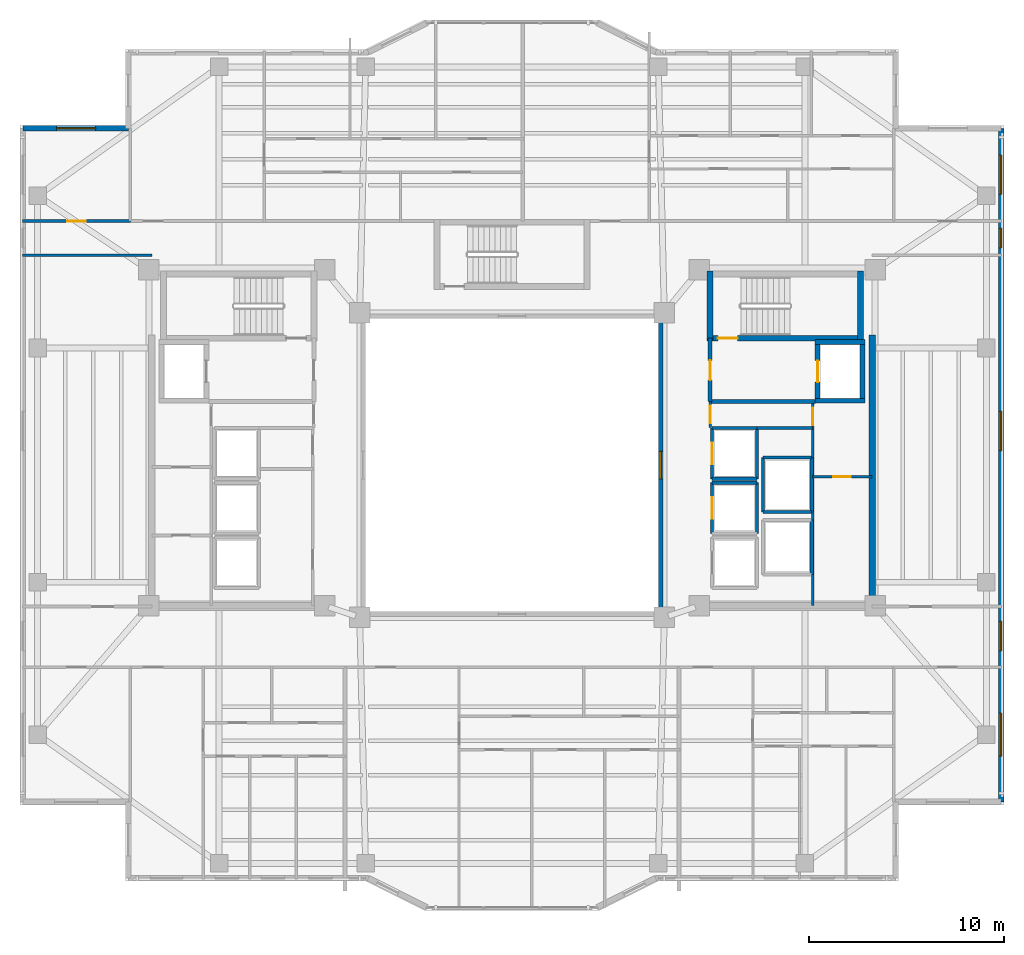
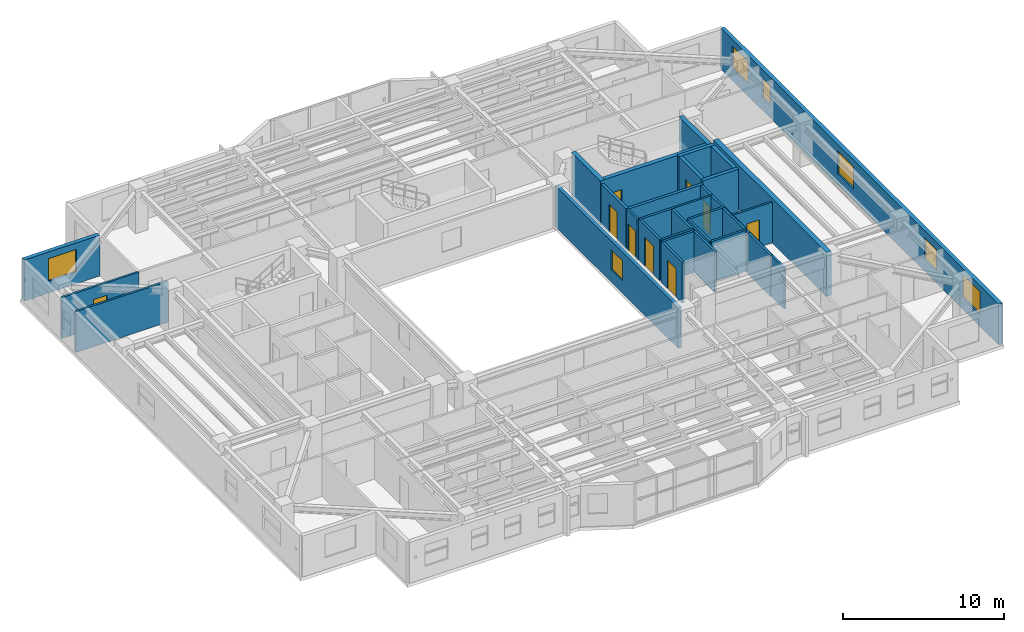
# One storey, part 9 of 16: 31 walls, 9 doors, 7 windows, 16 openings.
"""IFC4 building model written with IfcOpenShell, lengths in metres."""

from ifc_helpers import new_model, si_unit, direction, frame, frame_2d, origin, place, context, subcontext, project, spatial, rectangle, extrude, material, layer, layer_set, type_object, element, fill, save


model = new_model("IFC4")

# Units and contexts
model_context = context("Model", 3, precision=1e-05, world=origin(), true_north=direction((0.0, 1.0)))
body_context = subcontext(model_context, "Body", "Model", "MODEL_VIEW")
ifc_project = project(units=[si_unit("LENGTHUNIT", "METRE"), si_unit("AREAUNIT", "SQUARE_METRE"), si_unit("VOLUMEUNIT", "CUBIC_METRE"), si_unit("PLANEANGLEUNIT", "RADIAN"), si_unit("MASSUNIT", "GRAM", prefix="KILO")], contexts=[model_context])

# Site, building, storey
site_placement = place(None, origin())
site = spatial("IfcSite", under=ifc_project, at=site_placement, CompositionType="ELEMENT")
building_placement = place(site_placement, origin())
building = spatial("IfcBuilding", under=site, at=building_placement, Name="Tarnavaz Court Tower", CompositionType="ELEMENT")
storey_placement = place(building_placement, frame((0.0, 0.0, 149.35009765625)))
storey = spatial("IfcBuildingStorey", under=building, at=storey_placement, Name="L40", CompositionType="ELEMENT", Elevation=149.35009765625)

# Wall, opening, door
ifc_material_1 = material(Name="Concrete C50/60", Category="concrete")
ifc_layer_1 = layer(ifc_material_1, 0.25)
ifc_layer_set_1 = layer_set([ifc_layer_1], Name="Concrete C50/60")
wall_type_1 = type_object("IfcWallType", Name="WL-CORE-250-C50", PredefinedType="SHEAR", material=ifc_layer_set_1)
wall_1_placement = place(storey_placement, frame((15.64990234375, 3.175048828125, 0.0), z_axis=(0.0, 0.0, 1.0), x_axis=(0.0, 1.0, 0.0)))
wall_1 = element("IfcWall", 1, at=wall_1_placement, inside=storey, type_object=wall_type_1, Name="L40 Lift FL-E1 Shaft Wall 033", PredefinedType="SHEAR", context=body_context, shape_type="SweptSolid", body=[
    extrude(rectangle(XDim=3.25, YDim=0.25, at=frame_2d((1.625, 0.0))), origin(), (0.0, 0.0, 1.0), 3.349853515625),
])
opening_1_placement = place(wall_1_placement, frame((1.074951171875, 0.0, 0.0)))
opening_1 = element("IfcOpeningElement", 2, at=opening_1_placement, cuts=wall_1, Name="Opening LD1", PredefinedType="OPENING", context=body_context, shape_type="SweptSolid", body=[
    extrude(rectangle(XDim=1.10009765625, YDim=2.14990234375, at=frame_2d((0.550048828125, 1.074951171875))), frame((0.0, 0.135009765625, 0.0), z_axis=(0.0, -1.0, 0.0), x_axis=(1.0, 0.0, 0.0)), (0.0, 0.0, 1.0), 0.27001953125),
])
ifc_material_2 = material(Name="Stainless Steel", Category="steel")
door_type_1 = type_object("IfcDoorType", Name="DR-LD-1100", OperationType="NOTDEFINED", PredefinedType="DOOR", material=ifc_material_2)
door_1_placement = place(opening_1_placement, origin())
door_1 = element("IfcDoor", 3, at=door_1_placement, inside=storey, type_object=door_type_1, Name="L40 Lift Landing Door LD-FL-E1", OperationType="SLIDING_TO_LEFT", OverallHeight=2.14990234375, OverallWidth=1.10009765625, PredefinedType="DOOR", context=body_context, shape_type="SweptSolid", body=[
    extrude(rectangle(XDim=1.10009765625, YDim=2.14990234375, at=frame_2d((0.550048828125, 1.074951171875))), frame((0.0, 0.02490234375, 0.0), z_axis=(0.0, -1.0, 0.0), x_axis=(1.0, 0.0, 0.0)), (0.0, 0.0, 1.0), 0.050048828125),
])
fill(opening_1, door_1)

# Walls
wall_2_placement = place(storey_placement, frame((17.949951171875, 3.175048828125, 0.0), z_axis=(0.0, 0.0, 1.0), x_axis=(0.0, 1.0, 0.0)))
element("IfcWall", 4, at=wall_2_placement, inside=storey, type_object=wall_type_1, Name="L40 Lift FL-E1 Shaft Wall 034", PredefinedType="SHEAR", context=body_context, shape_type="SweptSolid", body=[
    extrude(rectangle(XDim=3.25, YDim=0.25, at=frame_2d((1.625, 0.0))), origin(), (0.0, 0.0, 1.0), 3.349853515625),
])
for number, where, z_axis, x_axis, name in (
    (5, (15.52490234375, 3.300048828125, 0.0), (0.0, 0.0, 1.0), (1.0, 0.0, 0.0), "L40 Lift FL-E1 Shaft Wall 035"),
    (6, (15.52490234375, 6.300048828125, 0.0), (0.0, 0.0, 1.0), (1.0, 0.0, 0.0), "L40 Lift FL-E1 Shaft Wall 036"),
):
    element("IfcWall", number, at=place(storey_placement, frame(where, z_axis=z_axis, x_axis=x_axis)), inside=storey, type_object=wall_type_1, Name=name, PredefinedType="SHEAR", context=body_context, shape_type="SweptSolid", body=[
        extrude(rectangle(XDim=2.550048828125, YDim=0.25, at=frame_2d((1.27490234375, 0.0))), origin(), (0.0, 0.0, 1.0), 3.349853515625),
    ])

# Wall, opening, door
ifc_layer_2 = layer(ifc_material_1, 0.300048828125)
ifc_layer_set_2 = layer_set([ifc_layer_2], Name="Concrete C50/60")
wall_type_2 = type_object("IfcWallType", Name="WL-CORE-300-C50", PredefinedType="SHEAR", material=ifc_layer_set_2)
wall_3_placement = place(storey_placement, frame((10.0, 6.5, 0.0), z_axis=(0.0, 0.0, 1.0), x_axis=(1.0, 0.0, 0.0)))
wall_3 = element("IfcWall", 7, at=wall_3_placement, inside=storey, type_object=wall_type_2, Name="L40 East Stair Core Wall 006", PredefinedType="SHEAR", context=body_context, shape_type="SweptSolid", body=[
    extrude(rectangle(XDim=8.0, YDim=0.300048828125, at=frame_2d((4.0, 0.0))), origin(), (0.0, 0.0, 1.0), 3.349853515625),
])
opening_2_placement = place(wall_3_placement, frame((0.550048828125, 0.0, 0.0)))
opening_2 = element("IfcOpeningElement", 8, at=opening_2_placement, cuts=wall_3, Name="Opening D01", PredefinedType="OPENING", context=body_context, shape_type="SweptSolid", body=[
    extrude(rectangle(XDim=1.0, YDim=2.14990234375, at=frame_2d((0.5, 1.074951171875))), frame((0.0, 0.159912109375, 0.0), z_axis=(0.0, -1.0, 0.0), x_axis=(1.0, 0.0, 0.0)), (0.0, 0.0, 1.0), 0.320068359375),
])
ifc_material_3 = material(Name="Fire-Rated Hardwood Timber Core", Category="wood")
door_type_2 = type_object("IfcDoorType", Name="DR-FD90-1000", OperationType="NOTDEFINED", PredefinedType="DOOR", material=ifc_material_3)
door_2_placement = place(opening_2_placement, origin())
door_2 = element("IfcDoor", 9, at=door_2_placement, inside=storey, type_object=door_type_2, Name="L40 Stair ST-E1 Exit Door", OperationType="SINGLE_SWING_RIGHT", OverallHeight=2.14990234375, OverallWidth=1.0, PredefinedType="DOOR", context=body_context, shape_type="SweptSolid", body=[
    extrude(rectangle(XDim=1.0, YDim=2.14990234375, at=frame_2d((0.5, 1.074951171875))), frame((0.0, 0.02490234375, 0.0), z_axis=(0.0, -1.0, 0.0), x_axis=(1.0, 0.0, 0.0)), (0.0, 0.0, 1.0), 0.050048828125),
])
fill(opening_2, door_2)

# Walls
for number, where, z_axis, x_axis, name in (
    (10, (10.14990234375, 6.35009765625, 0.0), (0.0, 0.0, 1.0), (0.0, 1.0, 0.0), "L40 East Stair Core Wall 007"),
    (11, (17.85009765625, 6.35009765625, 0.0), (0.0, 0.0, 1.0), (0.0, 1.0, 0.0), "L40 East Stair Core Wall 008"),
):
    element("IfcWall", number, at=place(storey_placement, frame(where, z_axis=z_axis, x_axis=x_axis)), inside=storey, type_object=wall_type_2, Name=name, PredefinedType="SHEAR", context=body_context, shape_type="SweptSolid", body=[
        extrude(rectangle(XDim=3.58984375, YDim=0.300048828125, at=frame_2d((1.794921875, 0.0))), origin(), (0.0, 0.0, 1.0), 3.349853515625),
    ])
ifc_layer_3 = layer(ifc_material_1, 0.35009765625)
ifc_layer_set_3 = layer_set([ifc_layer_3], Name="Concrete C50/60")
wall_type_3 = type_object("IfcWallType", Name="WL-CORE-350-C50", PredefinedType="SHEAR", material=ifc_layer_set_3)
wall_4_placement = place(storey_placement, frame((18.449951171875, -7.375, 0.0), z_axis=(0.0, 0.0, 1.0), x_axis=(0.0, 1.0, 0.0)))
element("IfcWall", 12, at=wall_4_placement, inside=storey, type_object=wall_type_3, Name="L40 East Core Shear Wall 059", PredefinedType="SHEAR", context=body_context, shape_type="SweptSolid", body=[
    extrude(rectangle(XDim=14.050048828125, YDim=0.35009765625, at=frame_2d((7.02490234375, 0.0))), origin(), (0.0, 0.0, 1.0), 3.349853515625),
])

# Wall, opening, window
ifc_material_4 = material(Name="Precast Concrete C40/50", Category="concrete")
ifc_layer_4 = layer(ifc_material_4, 0.280029296875)
ifc_layer_set_4 = layer_set([ifc_layer_4], Name="Precast Concrete C40/50")
wall_type_4 = type_object("IfcWallType", Name="WL-EXT-280", PredefinedType="SOLIDWALL", material=ifc_layer_set_4)
wall_5_placement = place(storey_placement, frame((-25.050048828125, 17.25, 0.0), z_axis=(0.0, 0.0, 1.0), x_axis=(1.0, 0.0, 0.0)))
wall_5 = element("IfcWall", 13, at=wall_5_placement, inside=storey, type_object=wall_type_4, Name="L40 Exterior Terracotta Facade Wall 03", PredefinedType="SOLIDWALL", context=body_context, shape_type="SweptSolid", body=[
    extrude(rectangle(XDim=5.400146484375, YDim=0.280029296875, at=frame_2d((2.7001953125, 0.0))), origin(), (0.0, 0.0, 1.0), 3.099853515625),
])
opening_3_placement = place(wall_5_placement, frame((1.72509765625, 0.0, 0.89990234375)))
opening_3 = element("IfcOpeningElement", 14, at=opening_3_placement, cuts=wall_5, Name="Opening W08", PredefinedType="OPENING", context=body_context, shape_type="SweptSolid", body=[
    extrude(rectangle(XDim=2.0, YDim=1.699951171875, at=frame_2d((1.0, 0.85009765625))), frame((0.0, 0.14990234375, 0.0), z_axis=(0.0, -1.0, 0.0), x_axis=(1.0, 0.0, 0.0)), (0.0, 0.0, 1.0), 0.300048828125),
])
ifc_material_5 = material(Name="Double-Glazed Solar Low-E Glass", Category="glass")
window_type_1 = type_object("IfcWindowType", Name="WN-APT-2000", PartitioningType="DOUBLE_PANEL_VERTICAL", PredefinedType="WINDOW", material=ifc_material_5)
window_1_placement = place(opening_3_placement, origin())
window_1 = element("IfcWindow", 15, at=window_1_placement, inside=storey, type_object=window_type_1, Name="L40 North-West Corner Sunroom Study Window", OverallHeight=1.699951171875, OverallWidth=2.0, PartitioningType="SINGLE_PANEL", PredefinedType="WINDOW", context=body_context, shape_type="SweptSolid", body=[
    extrude(rectangle(XDim=2.0, YDim=1.699951171875, at=frame_2d((1.0, 0.85009765625))), frame((0.0, 0.030029296875, 0.0), z_axis=(0.0, -1.0, 0.0), x_axis=(1.0, 0.0, 0.0)), (0.0, 0.0, 1.0), 0.06005859375),
])
fill(opening_3, window_1)

# Wall, openings, windows
wall_6_placement = place(storey_placement, frame((25.050048828125, 17.25, 0.0), z_axis=(0.0, 0.0, 1.0), x_axis=(0.0, -1.0, 0.0)))
wall_6 = element("IfcWall", 16, at=wall_6_placement, inside=storey, type_object=wall_type_4, Name="L40 Exterior Terracotta Facade Wall 12", PredefinedType="SOLIDWALL", context=body_context, shape_type="SweptSolid", body=[
    extrude(rectangle(XDim=34.5, YDim=0.280029296875, at=frame_2d((17.25, 0.0))), origin(), (0.0, 0.0, 1.0), 3.099853515625),
])
opening_4_placement = place(wall_6_placement, frame((1.375, 0.0, 0.89990234375)))
opening_4 = element("IfcOpeningElement", 17, at=opening_4_placement, cuts=wall_6, Name="Opening W08", PredefinedType="OPENING", context=body_context, shape_type="SweptSolid", body=[
    extrude(rectangle(XDim=2.0, YDim=1.699951171875, at=frame_2d((1.0, 0.85009765625))), frame((0.0, 0.14990234375, 0.0), z_axis=(0.0, -1.0, 0.0), x_axis=(1.0, 0.0, 0.0)), (0.0, 0.0, 1.0), 0.300048828125),
])
opening_5_placement = place(wall_6_placement, frame((5.125, 0.0, 0.949951171875)))
opening_5 = element("IfcOpeningElement", 18, at=opening_5_placement, cuts=wall_6, Name="Opening W14", PredefinedType="OPENING", context=body_context, shape_type="SweptSolid", body=[
    extrude(rectangle(XDim=1.0, YDim=1.5, at=frame_2d((0.5, 0.75))), frame((0.0, 0.14990234375, 0.0), z_axis=(0.0, -1.0, 0.0), x_axis=(1.0, 0.0, 0.0)), (0.0, 0.0, 1.0), 0.300048828125),
])
opening_6_placement = place(wall_6_placement, frame((14.5, 0.0, 0.89990234375)))
opening_6 = element("IfcOpeningElement", 19, at=opening_6_placement, cuts=wall_6, Name="Opening W08", PredefinedType="OPENING", context=body_context, shape_type="SweptSolid", body=[
    extrude(rectangle(XDim=2.0, YDim=1.699951171875, at=frame_2d((1.0, 0.85009765625))), frame((0.0, 0.14990234375, 0.0), z_axis=(0.0, -1.0, 0.0), x_axis=(1.0, 0.0, 0.0)), (0.0, 0.0, 1.0), 0.300048828125),
])
opening_7_placement = place(wall_6_placement, frame((25.257568359375, 0.0, 0.89990234375)))
opening_7 = element("IfcOpeningElement", 20, at=opening_7_placement, cuts=wall_6, Name="Opening W03", PredefinedType="OPENING", context=body_context, shape_type="SweptSolid", body=[
    extrude(rectangle(XDim=1.5, YDim=1.64990234375, at=frame_2d((0.75, 0.824951171875))), frame((0.0, 0.14990234375, 0.0), z_axis=(0.0, -1.0, 0.0), x_axis=(1.0, 0.0, 0.0)), (0.0, 0.0, 1.0), 0.300048828125),
])
opening_8_placement = place(wall_6_placement, frame((29.949951171875, 0.0, 0.89990234375)))
opening_8 = element("IfcOpeningElement", 21, at=opening_8_placement, cuts=wall_6, Name="Opening W07", PredefinedType="OPENING", context=body_context, shape_type="SweptSolid", body=[
    extrude(rectangle(XDim=2.199951171875, YDim=1.75, at=frame_2d((1.10009765625, 0.875))), frame((0.0, 0.14990234375, 0.0), z_axis=(0.0, -1.0, 0.0), x_axis=(1.0, 0.0, 0.0)), (0.0, 0.0, 1.0), 0.300048828125),
])
window_type_2 = type_object("IfcWindowType", Name="WN-APT-1000", PartitioningType="SINGLE_PANEL", PredefinedType="WINDOW", material=ifc_material_5)
window_2_placement = place(opening_5_placement, origin())
window_2 = element("IfcWindow", 22, at=window_2_placement, inside=storey, type_object=window_type_2, Name="L40 North-East Corner Corridor Window", OverallHeight=1.5, OverallWidth=1.0, PartitioningType="SINGLE_PANEL", PredefinedType="WINDOW", context=body_context, shape_type="SweptSolid", body=[
    extrude(rectangle(XDim=1.0, YDim=1.5, at=frame_2d((0.5, 0.75))), frame((0.0, 0.030029296875, 0.0), z_axis=(0.0, -1.0, 0.0), x_axis=(1.0, 0.0, 0.0)), (0.0, 0.0, 1.0), 0.06005859375),
])
fill(opening_5, window_2)
window_type_3 = type_object("IfcWindowType", Name="WN-APT-1500", PartitioningType="DOUBLE_PANEL_VERTICAL", PredefinedType="WINDOW", material=ifc_material_5)
window_3_placement = place(opening_7_placement, origin())
window_3 = element("IfcWindow", 23, at=window_3_placement, inside=storey, type_object=window_type_3, Name="L40 South-East Corner Corridor Window", OverallHeight=1.64990234375, OverallWidth=1.5, PartitioningType="SINGLE_PANEL", PredefinedType="WINDOW", context=body_context, shape_type="SweptSolid", body=[
    extrude(rectangle(XDim=1.5, YDim=1.64990234375, at=frame_2d((0.75, 0.824951171875))), frame((0.0, 0.030029296875, 0.0), z_axis=(0.0, -1.0, 0.0), x_axis=(1.0, 0.0, 0.0)), (0.0, 0.0, 1.0), 0.06005859375),
])
fill(opening_7, window_3)
window_4_placement = place(opening_4_placement, origin())
window_4 = element("IfcWindow", 24, at=window_4_placement, inside=storey, type_object=window_type_1, Name="L40 North-East Corner Sunroom Study Window", OverallHeight=1.699951171875, OverallWidth=2.0, PartitioningType="SINGLE_PANEL", PredefinedType="WINDOW", context=body_context, shape_type="SweptSolid", body=[
    extrude(rectangle(XDim=2.0, YDim=1.699951171875, at=frame_2d((1.0, 0.85009765625))), frame((0.0, 0.030029296875, 0.0), z_axis=(0.0, -1.0, 0.0), x_axis=(1.0, 0.0, 0.0)), (0.0, 0.0, 1.0), 0.06005859375),
])
fill(opening_4, window_4)
window_5_placement = place(opening_6_placement, origin())
window_5 = element("IfcWindow", 25, at=window_5_placement, inside=storey, type_object=window_type_1, Name="L40 East Wing Resident Fitness Lounge Window", OverallHeight=1.699951171875, OverallWidth=2.0, PartitioningType="SINGLE_PANEL", PredefinedType="WINDOW", context=body_context, shape_type="SweptSolid", body=[
    extrude(rectangle(XDim=2.0, YDim=1.699951171875, at=frame_2d((1.0, 0.85009765625))), frame((0.0, 0.030029296875, 0.0), z_axis=(0.0, -1.0, 0.0), x_axis=(1.0, 0.0, 0.0)), (0.0, 0.0, 1.0), 0.06005859375),
])
fill(opening_6, window_5)
window_type_4 = type_object("IfcWindowType", Name="WN-APT-2200", PartitioningType="TRIPLE_PANEL_VERTICAL", PredefinedType="WINDOW", material=ifc_material_5)
window_6_placement = place(opening_8_placement, origin())
window_6 = element("IfcWindow", 26, at=window_6_placement, inside=storey, type_object=window_type_4, Name="L40 South-East Corner Reading Room Window", OverallHeight=1.75, OverallWidth=2.199951171875, PartitioningType="SINGLE_PANEL", PredefinedType="WINDOW", context=body_context, shape_type="SweptSolid", body=[
    extrude(rectangle(XDim=2.199951171875, YDim=1.75, at=frame_2d((1.10009765625, 0.875))), frame((0.0, 0.030029296875, 0.0), z_axis=(0.0, -1.0, 0.0), x_axis=(1.0, 0.0, 0.0)), (0.0, 0.0, 1.0), 0.06005859375),
])
fill(opening_8, window_6)

# Wall
ifc_material_6 = material(Name="Gypsum Fire-Board on Acoustic Metal Stud", Category="masonry")
ifc_layer_5 = layer(ifc_material_6, 0.14990234375)
ifc_layer_set_5 = layer_set([ifc_layer_5], Name="Gypsum Fire-Board on Acoustic Metal Stud")
wall_type_5 = type_object("IfcWallType", Name="WL-FIRE-150", PredefinedType="PARTITIONING", material=ifc_layer_set_5)
wall_7_placement = place(storey_placement, frame((-25.080078125, 10.75, 0.0), z_axis=(0.0, 0.0, 1.0), x_axis=(1.0, 0.0, 0.0)))
element("IfcWall", 27, at=wall_7_placement, inside=storey, type_object=wall_type_5, Name="L40 Interior Partition 116", PredefinedType="PARTITIONING", context=body_context, shape_type="SweptSolid", body=[
    extrude(rectangle(XDim=6.630126953125, YDim=0.14990234375, at=frame_2d((3.31494140625, 0.0))), origin(), (0.0, 0.0, 1.0), 3.099853515625),
])

# Wall, opening, door
wall_8_placement = place(storey_placement, frame((-25.080078125, 12.5, 0.0), z_axis=(0.0, 0.0, 1.0), x_axis=(1.0, 0.0, 0.0)))
wall_8 = element("IfcWall", 28, at=wall_8_placement, inside=storey, type_object=wall_type_5, Name="L40 Interior Partition 123", PredefinedType="PARTITIONING", context=body_context, shape_type="SweptSolid", body=[
    extrude(rectangle(XDim=5.530029296875, YDim=0.14990234375, at=frame_2d((2.76513671875, 0.0))), origin(), (0.0, 0.0, 1.0), 3.099853515625),
])
opening_9_placement = place(wall_8_placement, frame((2.2900390625, 0.0, 0.0)))
opening_9 = element("IfcOpeningElement", 29, at=opening_9_placement, cuts=wall_8, Name="Opening D13", PredefinedType="OPENING", context=body_context, shape_type="SweptSolid", body=[
    extrude(rectangle(XDim=0.949951171875, YDim=2.14990234375, at=frame_2d((0.47509765625, 1.074951171875))), frame((0.0, 0.0849609375, 0.0), z_axis=(0.0, -1.0, 0.0), x_axis=(1.0, 0.0, 0.0)), (0.0, 0.0, 1.0), 0.169921875),
])
ifc_material_7 = material(Name="Engineered Oak Timber", Category="wood")
door_type_3 = type_object("IfcDoorType", Name="DR-INT-950", OperationType="NOTDEFINED", PredefinedType="DOOR", material=ifc_material_7)
door_3_placement = place(opening_9_placement, origin())
door_3 = element("IfcDoor", 30, at=door_3_placement, inside=storey, type_object=door_type_3, Name="L40 NW Sunroom Door", OperationType="SINGLE_SWING_LEFT", OverallHeight=2.14990234375, OverallWidth=0.949951171875, PredefinedType="DOOR", context=body_context, shape_type="SweptSolid", body=[
    extrude(rectangle(XDim=0.949951171875, YDim=2.14990234375, at=frame_2d((0.47509765625, 1.074951171875))), frame((0.0, 0.02490234375, 0.0), z_axis=(0.0, -1.0, 0.0), x_axis=(1.0, 0.0, 0.0)), (0.0, 0.0, 1.0), 0.050048828125),
])
fill(opening_9, door_3)

# Wall
ifc_material_8 = material(Name="Autoclaved Aerated Concrete Blockwork", Category="masonry")
ifc_layer_6 = layer(ifc_material_8, 0.199951171875)
ifc_layer_set_6 = layer_set([ifc_layer_6], Name="Autoclaved Aerated Concrete Blockwork")
wall_type_6 = type_object("IfcWallType", Name="WL-FIRE-200", PredefinedType="SOLIDWALL", material=ifc_layer_set_6)
wall_9_placement = place(storey_placement, frame((10.14990234375, 3.25, 0.0), z_axis=(0.0, 0.0, 1.0), x_axis=(1.0, 0.0, 0.0)))
element("IfcWall", 31, at=wall_9_placement, inside=storey, type_object=wall_type_6, Name="L40 East Firefighting Lobby Wall 015", PredefinedType="SOLIDWALL", context=body_context, shape_type="SweptSolid", body=[
    extrude(rectangle(XDim=5.400146484375, YDim=0.199951171875, at=frame_2d((2.7001953125, 0.0))), origin(), (0.0, 0.0, 1.0), 3.099853515625),
])

# Wall, opening, door
wall_10_placement = place(storey_placement, frame((10.14990234375, 3.25, 0.0), z_axis=(0.0, 0.0, 1.0), x_axis=(0.0, 1.0, 0.0)))
wall_10 = element("IfcWall", 32, at=wall_10_placement, inside=storey, type_object=wall_type_6, Name="L40 East Firefighting Lobby Wall 016", PredefinedType="SOLIDWALL", context=body_context, shape_type="SweptSolid", body=[
    extrude(rectangle(XDim=3.25, YDim=0.199951171875, at=frame_2d((1.625, 0.0))), origin(), (0.0, 0.0, 1.0), 3.099853515625),
])
opening_10_placement = place(wall_10_placement, frame((1.10009765625, 0.0, 0.0)))
opening_10 = element("IfcOpeningElement", 33, at=opening_10_placement, cuts=wall_10, Name="Opening D05", PredefinedType="OPENING", context=body_context, shape_type="SweptSolid", body=[
    extrude(rectangle(XDim=1.02001953125, YDim=2.14990234375, at=frame_2d((0.510009765625, 1.074951171875))), frame((0.0, 0.10986328125, 0.0), z_axis=(0.0, -1.0, 0.0), x_axis=(1.0, 0.0, 0.0)), (0.0, 0.0, 1.0), 0.219970703125),
])
door_type_4 = type_object("IfcDoorType", Name="DR-FD60-1000", OperationType="NOTDEFINED", PredefinedType="DOOR", material=ifc_material_3)
door_4_placement = place(opening_10_placement, origin())
door_4 = element("IfcDoor", 34, at=door_4_placement, inside=storey, type_object=door_type_4, Name="L40 East Firefighting Lobby Door", OperationType="SINGLE_SWING_LEFT", OverallHeight=2.14990234375, OverallWidth=1.02001953125, PredefinedType="DOOR", context=body_context, shape_type="SweptSolid", body=[
    extrude(rectangle(XDim=1.02001953125, YDim=2.14990234375, at=frame_2d((0.510009765625, 1.074951171875))), frame((0.0, 0.02490234375, 0.0), z_axis=(0.0, -1.0, 0.0), x_axis=(1.0, 0.0, 0.0)), (0.0, 0.0, 1.0), 0.050048828125),
])
fill(opening_10, door_4)

# Wall
ifc_material_9 = material(Name="Gypsum Plasterboard Acoustic Partition", Category="masonry")
ifc_layer_7 = layer(ifc_material_9, 0.139892578125)
ifc_layer_set_7 = layer_set([ifc_layer_7], Name="Gypsum Plasterboard Acoustic Partition")
wall_type_7 = type_object("IfcWallType", Name="WL-PART-150", PredefinedType="PARTITIONING", material=ifc_layer_set_7)
wall_11_placement = place(storey_placement, frame((12.550048828125, 1.89990234375, 0.0), z_axis=(0.0, 0.0, 1.0), x_axis=(1.0, 0.0, 0.0)))
element("IfcWall", 35, at=wall_11_placement, inside=storey, type_object=wall_type_7, Name="L40 Interior Partition 068", PredefinedType="PARTITIONING", context=body_context, shape_type="SweptSolid", body=[
    extrude(rectangle(XDim=2.849853515625, YDim=0.139892578125, at=frame_2d((1.4248046875, 0.0))), origin(), (0.0, 0.0, 1.0), 3.099853515625),
])

# Wall, opening, door
wall_12_placement = place(storey_placement, frame((10.14990234375, 1.919921875, 0.0), z_axis=(0.0, 0.0, 1.0), x_axis=(0.0, 1.0, 0.0)))
wall_12 = element("IfcWall", 36, at=wall_12_placement, inside=storey, type_object=wall_type_7, Name="L40 Interior Partition 069", PredefinedType="PARTITIONING", context=body_context, shape_type="SweptSolid", body=[
    extrude(rectangle(XDim=1.330078125, YDim=0.139892578125, at=frame_2d((0.6650390625, 0.0))), origin(), (0.0, 0.0, 1.0), 3.099853515625),
])
opening_11_placement = place(wall_12_placement, frame((0.219970703125, 0.0, 0.0)))
opening_11 = element("IfcOpeningElement", 37, at=opening_11_placement, cuts=wall_12, Name="Opening D09", PredefinedType="OPENING", context=body_context, shape_type="SweptSolid", body=[
    extrude(rectangle(XDim=0.89990234375, YDim=2.080078125, at=frame_2d((0.449951171875, 1.0400390625))), frame((0.0, 0.079833984375, 0.0), z_axis=(0.0, -1.0, 0.0), x_axis=(1.0, 0.0, 0.0)), (0.0, 0.0, 1.0), 0.159912109375),
])
door_type_5 = type_object("IfcDoorType", Name="DR-FD30-900", OperationType="NOTDEFINED", PredefinedType="DOOR", material=ifc_material_3)
door_5_placement = place(opening_11_placement, origin())
door_5 = element("IfcDoor", 38, at=door_5_placement, inside=storey, type_object=door_type_5, Name="L40 East Core Service Lobby Door", OperationType="SINGLE_SWING_LEFT", OverallHeight=2.080078125, OverallWidth=0.89990234375, PredefinedType="DOOR", context=body_context, shape_type="SweptSolid", body=[
    extrude(rectangle(XDim=0.89990234375, YDim=2.080078125, at=frame_2d((0.449951171875, 1.0400390625))), frame((0.0, 0.02490234375, 0.0), z_axis=(0.0, -1.0, 0.0), x_axis=(1.0, 0.0, 0.0)), (0.0, 0.0, 1.0), 0.050048828125),
])
fill(opening_11, door_5)

wall_13_placement = place(storey_placement, frame((15.39990234375, -7.199951171875, 0.0), z_axis=(0.0, 0.0, 1.0), x_axis=(0.0, 1.0, 0.0)))
wall_13 = element("IfcWall", 39, at=wall_13_placement, inside=storey, type_object=wall_type_7, Name="L40 Interior Partition 070", PredefinedType="PARTITIONING", context=body_context, shape_type="SweptSolid", body=[
    extrude(rectangle(XDim=10.449951171875, YDim=0.139892578125, at=frame_2d((5.22509765625, 0.0))), origin(), (0.0, 0.0, 1.0), 3.099853515625),
])
opening_12_placement = place(wall_13_placement, frame((9.25, 0.0, 0.0)))
opening_12 = element("IfcOpeningElement", 40, at=opening_12_placement, cuts=wall_13, Name="Opening D09", PredefinedType="OPENING", context=body_context, shape_type="SweptSolid", body=[
    extrude(rectangle(XDim=0.89990234375, YDim=2.080078125, at=frame_2d((0.449951171875, 1.0400390625))), frame((0.0, 0.079833984375, 0.0), z_axis=(0.0, -1.0, 0.0), x_axis=(1.0, 0.0, 0.0)), (0.0, 0.0, 1.0), 0.159912109375),
])
door_6_placement = place(opening_12_placement, origin())
door_6 = element("IfcDoor", 41, at=door_6_placement, inside=storey, type_object=door_type_5, Name="L40 East Wet Riser Door", OperationType="SINGLE_SWING_RIGHT", OverallHeight=2.080078125, OverallWidth=0.89990234375, PredefinedType="DOOR", context=body_context, shape_type="SweptSolid", body=[
    extrude(rectangle(XDim=0.89990234375, YDim=2.080078125, at=frame_2d((0.449951171875, 1.0400390625))), frame((0.0, 0.02490234375, 0.0), z_axis=(0.0, -1.0, 0.0), x_axis=(1.0, 0.0, 0.0)), (0.0, 0.0, 1.0), 0.050048828125),
])
fill(opening_12, door_6)

wall_14_placement = place(storey_placement, frame((15.39990234375, -0.590087890625, 0.0), z_axis=(0.0, 0.0, 1.0), x_axis=(1.0, 0.0, 0.0)))
wall_14 = element("IfcWall", 42, at=wall_14_placement, inside=storey, type_object=wall_type_7, Name="L40 Interior Partition 071", PredefinedType="PARTITIONING", context=body_context, shape_type="SweptSolid", body=[
    extrude(rectangle(XDim=3.050048828125, YDim=0.139892578125, at=frame_2d((1.52490234375, 0.0))), origin(), (0.0, 0.0, 1.0), 3.099853515625),
])
opening_13_placement = place(wall_14_placement, frame((1.050048828125, 0.0, 0.0)))
opening_13 = element("IfcOpeningElement", 43, at=opening_13_placement, cuts=wall_14, Name="Opening D09", PredefinedType="OPENING", context=body_context, shape_type="SweptSolid", body=[
    extrude(rectangle(XDim=0.89990234375, YDim=2.080078125, at=frame_2d((0.449951171875, 1.0400390625))), frame((0.0, 0.079833984375, 0.0), z_axis=(0.0, -1.0, 0.0), x_axis=(1.0, 0.0, 0.0)), (0.0, 0.0, 1.0), 0.159912109375),
])
door_7_placement = place(opening_13_placement, origin())
door_7 = element("IfcDoor", 44, at=door_7_placement, inside=storey, type_object=door_type_5, Name="L40 East Electrical Plant Door", OperationType="SINGLE_SWING_LEFT", OverallHeight=2.080078125, OverallWidth=0.89990234375, PredefinedType="DOOR", context=body_context, shape_type="SweptSolid", body=[
    extrude(rectangle(XDim=0.89990234375, YDim=2.080078125, at=frame_2d((0.449951171875, 1.0400390625))), frame((0.0, 0.02490234375, 0.0), z_axis=(0.0, -1.0, 0.0), x_axis=(1.0, 0.0, 0.0)), (0.0, 0.0, 1.0), 0.050048828125),
])
fill(opening_13, door_7)

ifc_layer_8 = layer(ifc_material_8, 0.159912109375)
ifc_layer_set_8 = layer_set([ifc_layer_8], Name="Autoclaved Aerated Concrete Blockwork")
wall_type_8 = type_object("IfcWallType", Name="WL-SHAFT-150", PredefinedType="SOLIDWALL", material=ifc_layer_set_8)
wall_15_placement = place(storey_placement, frame((10.25, -3.5, 0.0), z_axis=(0.0, 0.0, 1.0), x_axis=(0.0, 1.0, 0.0)))
wall_15 = element("IfcWall", 45, at=wall_15_placement, inside=storey, type_object=wall_type_8, Name="L40 Lift PL-M2 Shaft Wall 041", PredefinedType="SOLIDWALL", context=body_context, shape_type="SweptSolid", body=[
    extrude(rectangle(XDim=2.60009765625, YDim=0.159912109375, at=frame_2d((1.300048828125, 0.0))), origin(), (0.0, 0.0, 1.0), 3.099853515625),
])
opening_14_placement = place(wall_15_placement, frame((0.75, 0.0, 0.0)))
opening_14 = element("IfcOpeningElement", 46, at=opening_14_placement, cuts=wall_15, Name="Opening LD1", PredefinedType="OPENING", context=body_context, shape_type="SweptSolid", body=[
    extrude(rectangle(XDim=1.10009765625, YDim=2.14990234375, at=frame_2d((0.550048828125, 1.074951171875))), frame((0.0, 0.08984375, 0.0), z_axis=(0.0, -1.0, 0.0), x_axis=(1.0, 0.0, 0.0)), (0.0, 0.0, 1.0), 0.179931640625),
])
door_8_placement = place(opening_14_placement, origin())
door_8 = element("IfcDoor", 47, at=door_8_placement, inside=storey, type_object=door_type_1, Name="L40 Lift Landing Door LD-PL-M2", OperationType="SLIDING_TO_LEFT", OverallHeight=2.14990234375, OverallWidth=1.10009765625, PredefinedType="DOOR", context=body_context, shape_type="SweptSolid", body=[
    extrude(rectangle(XDim=1.10009765625, YDim=2.14990234375, at=frame_2d((0.550048828125, 1.074951171875))), frame((0.0, 0.02490234375, 0.0), z_axis=(0.0, -1.0, 0.0), x_axis=(1.0, 0.0, 0.0)), (0.0, 0.0, 1.0), 0.050048828125),
])
fill(opening_14, door_8)

# Walls
wall_16_placement = place(storey_placement, frame((12.550048828125, -3.5, 0.0), z_axis=(0.0, 0.0, 1.0), x_axis=(0.0, 1.0, 0.0)))
element("IfcWall", 48, at=wall_16_placement, inside=storey, type_object=wall_type_8, Name="L40 Lift PL-M2 Shaft Wall 042", PredefinedType="SOLIDWALL", context=body_context, shape_type="SweptSolid", body=[
    extrude(rectangle(XDim=2.60009765625, YDim=0.159912109375, at=frame_2d((1.300048828125, 0.0))), origin(), (0.0, 0.0, 1.0), 3.099853515625),
])
wall_17_placement = place(storey_placement, frame((10.25, -0.89990234375, 0.0), z_axis=(0.0, 0.0, 1.0), x_axis=(1.0, 0.0, 0.0)))
element("IfcWall", 49, at=wall_17_placement, inside=storey, type_object=wall_type_8, Name="L40 Lift PL-M2 Shaft Wall 044", PredefinedType="SOLIDWALL", context=body_context, shape_type="SweptSolid", body=[
    extrude(rectangle(XDim=2.300048828125, YDim=0.159912109375, at=frame_2d((1.14990234375, 0.0))), origin(), (0.0, 0.0, 1.0), 3.099853515625),
])

# Wall, opening, door
wall_18_placement = place(storey_placement, frame((10.25, -0.699951171875, 0.0), z_axis=(0.0, 0.0, 1.0), x_axis=(0.0, 1.0, 0.0)))
wall_18 = element("IfcWall", 50, at=wall_18_placement, inside=storey, type_object=wall_type_8, Name="L40 Lift PL-M3 Shaft Wall 045", PredefinedType="SOLIDWALL", context=body_context, shape_type="SweptSolid", body=[
    extrude(rectangle(XDim=2.599853515625, YDim=0.159912109375, at=frame_2d((1.2998046875, 0.0))), origin(), (0.0, 0.0, 1.0), 3.099853515625),
])
opening_15_placement = place(wall_18_placement, frame((0.75, 0.0, 0.0)))
opening_15 = element("IfcOpeningElement", 51, at=opening_15_placement, cuts=wall_18, Name="Opening LD1", PredefinedType="OPENING", context=body_context, shape_type="SweptSolid", body=[
    extrude(rectangle(XDim=1.10009765625, YDim=2.14990234375, at=frame_2d((0.550048828125, 1.074951171875))), frame((0.0, 0.08984375, 0.0), z_axis=(0.0, -1.0, 0.0), x_axis=(1.0, 0.0, 0.0)), (0.0, 0.0, 1.0), 0.179931640625),
])
door_9_placement = place(opening_15_placement, origin())
door_9 = element("IfcDoor", 52, at=door_9_placement, inside=storey, type_object=door_type_1, Name="L40 Lift Landing Door LD-PL-M3", OperationType="SLIDING_TO_LEFT", OverallHeight=2.14990234375, OverallWidth=1.10009765625, PredefinedType="DOOR", context=body_context, shape_type="SweptSolid", body=[
    extrude(rectangle(XDim=1.10009765625, YDim=2.14990234375, at=frame_2d((0.550048828125, 1.074951171875))), frame((0.0, 0.02490234375, 0.0), z_axis=(0.0, -1.0, 0.0), x_axis=(1.0, 0.0, 0.0)), (0.0, 0.0, 1.0), 0.050048828125),
])
fill(opening_15, door_9)

# Walls
wall_19_placement = place(storey_placement, frame((12.550048828125, -0.699951171875, 0.0), z_axis=(0.0, 0.0, 1.0), x_axis=(0.0, 1.0, 0.0)))
element("IfcWall", 53, at=wall_19_placement, inside=storey, type_object=wall_type_8, Name="L40 Lift PL-M3 Shaft Wall 046", PredefinedType="SOLIDWALL", context=body_context, shape_type="SweptSolid", body=[
    extrude(rectangle(XDim=2.599853515625, YDim=0.159912109375, at=frame_2d((1.2998046875, 0.0))), origin(), (0.0, 0.0, 1.0), 3.099853515625),
])
for number, where, z_axis, x_axis, name in (
    (54, (10.25, -0.699951171875, 0.0), (0.0, 0.0, 1.0), (1.0, 0.0, 0.0), "L40 Lift PL-M3 Shaft Wall 047"),
    (55, (10.25, 1.89990234375, 0.0), (0.0, 0.0, 1.0), (1.0, 0.0, 0.0), "L40 Lift PL-M3 Shaft Wall 048"),
):
    element("IfcWall", number, at=place(storey_placement, frame(where, z_axis=z_axis, x_axis=x_axis)), inside=storey, type_object=wall_type_8, Name=name, PredefinedType="SOLIDWALL", context=body_context, shape_type="SweptSolid", body=[
        extrude(rectangle(XDim=2.300048828125, YDim=0.159912109375, at=frame_2d((1.14990234375, 0.0))), origin(), (0.0, 0.0, 1.0), 3.099853515625),
    ])
wall_20_placement = place(storey_placement, frame((15.35009765625, -5.60009765625, 0.0), z_axis=(0.0, 0.0, 1.0), x_axis=(0.0, 1.0, 0.0)))
element("IfcWall", 56, at=wall_20_placement, inside=storey, type_object=wall_type_8, Name="L40 Lift PL-OB1 Shaft Wall 050", PredefinedType="SOLIDWALL", context=body_context, shape_type="SweptSolid", body=[
    extrude(rectangle(XDim=2.800048828125, YDim=0.159912109375, at=frame_2d((1.39990234375, 0.0))), origin(), (0.0, 0.0, 1.0), 3.099853515625),
])
for number, where, z_axis, x_axis, name in (
    (57, (12.85009765625, -2.39990234375, 0.0), (0.0, 0.0, 1.0), (0.0, 1.0, 0.0), "L40 Lift PL-OB2 Shaft Wall 053"),
    (58, (15.35009765625, -2.39990234375, 0.0), (0.0, 0.0, 1.0), (0.0, 1.0, 0.0), "L40 Lift PL-OB2 Shaft Wall 054"),
):
    element("IfcWall", number, at=place(storey_placement, frame(where, z_axis=z_axis, x_axis=x_axis)), inside=storey, type_object=wall_type_8, Name=name, PredefinedType="SOLIDWALL", context=body_context, shape_type="SweptSolid", body=[
        extrude(rectangle(XDim=2.7998046875, YDim=0.159912109375, at=frame_2d((1.39990234375, 0.0))), origin(), (0.0, 0.0, 1.0), 3.099853515625),
    ])
for number, where, z_axis, x_axis, name in (
    (59, (12.85009765625, -2.39990234375, 0.0), (0.0, 0.0, 1.0), (1.0, 0.0, 0.0), "L40 Lift PL-OB2 Shaft Wall 055"),
    (60, (12.85009765625, 0.39990234375, 0.0), (0.0, 0.0, 1.0), (1.0, 0.0, 0.0), "L40 Lift PL-OB2 Shaft Wall 056"),
):
    element("IfcWall", number, at=place(storey_placement, frame(where, z_axis=z_axis, x_axis=x_axis)), inside=storey, type_object=wall_type_8, Name=name, PredefinedType="SOLIDWALL", context=body_context, shape_type="SweptSolid", body=[
        extrude(rectangle(XDim=2.5, YDim=0.159912109375, at=frame_2d((1.25, 0.0))), origin(), (0.0, 0.0, 1.0), 3.099853515625),
    ])

# Wall, opening, window
ifc_layer_9 = layer(ifc_material_4, 0.239990234375)
ifc_layer_set_9 = layer_set([ifc_layer_9], Name="Precast Concrete C40/50")
wall_type_9 = type_object("IfcWallType", Name="WL-WELL-240", PredefinedType="SOLIDWALL", material=ifc_layer_set_9)
wall_21_placement = place(storey_placement, frame((7.6201171875, -7.6201171875, 0.0), z_axis=(0.0, 0.0, 1.0), x_axis=(0.0, 1.0, 0.0)))
wall_21 = element("IfcWall", 61, at=wall_21_placement, inside=storey, type_object=wall_type_9, Name="L40 Badgir Light-Well Exterior Wall E", PredefinedType="SOLIDWALL", context=body_context, shape_type="SweptSolid", body=[
    extrude(rectangle(XDim=15.240234375, YDim=0.239990234375, at=frame_2d((7.6201171875, 0.0))), origin(), (0.0, 0.0, 1.0), 3.099853515625),
])
opening_16_placement = place(wall_21_placement, frame((6.919921875, 0.0, 0.949951171875)))
opening_16 = element("IfcOpeningElement", 62, at=opening_16_placement, cuts=wall_21, Name="Opening W13", PredefinedType="OPENING", context=body_context, shape_type="SweptSolid", body=[
    extrude(rectangle(XDim=1.39990234375, YDim=1.5, at=frame_2d((0.699951171875, 0.75))), frame((0.0, 0.1298828125, 0.0), z_axis=(0.0, -1.0, 0.0), x_axis=(1.0, 0.0, 0.0)), (0.0, 0.0, 1.0), 0.260009765625),
])
window_type_5 = type_object("IfcWindowType", Name="WN-WEL-1400", PartitioningType="SINGLE_PANEL", PredefinedType="WINDOW", material=ifc_material_5)
window_7_placement = place(opening_16_placement, origin())
window_7 = element("IfcWindow", 63, at=window_7_placement, inside=storey, type_object=window_type_5, Name="L40 Courtyard Gallery Window E", OverallHeight=1.5, OverallWidth=1.39990234375, PartitioningType="SINGLE_PANEL", PredefinedType="WINDOW", context=body_context, shape_type="SweptSolid", body=[
    extrude(rectangle(XDim=1.39990234375, YDim=1.5, at=frame_2d((0.699951171875, 0.75))), frame((0.0, 0.030029296875, 0.0), z_axis=(0.0, -1.0, 0.0), x_axis=(1.0, 0.0, 0.0)), (0.0, 0.0, 1.0), 0.06005859375),
])
fill(opening_16, window_7)

save(model, "model.ifc")
